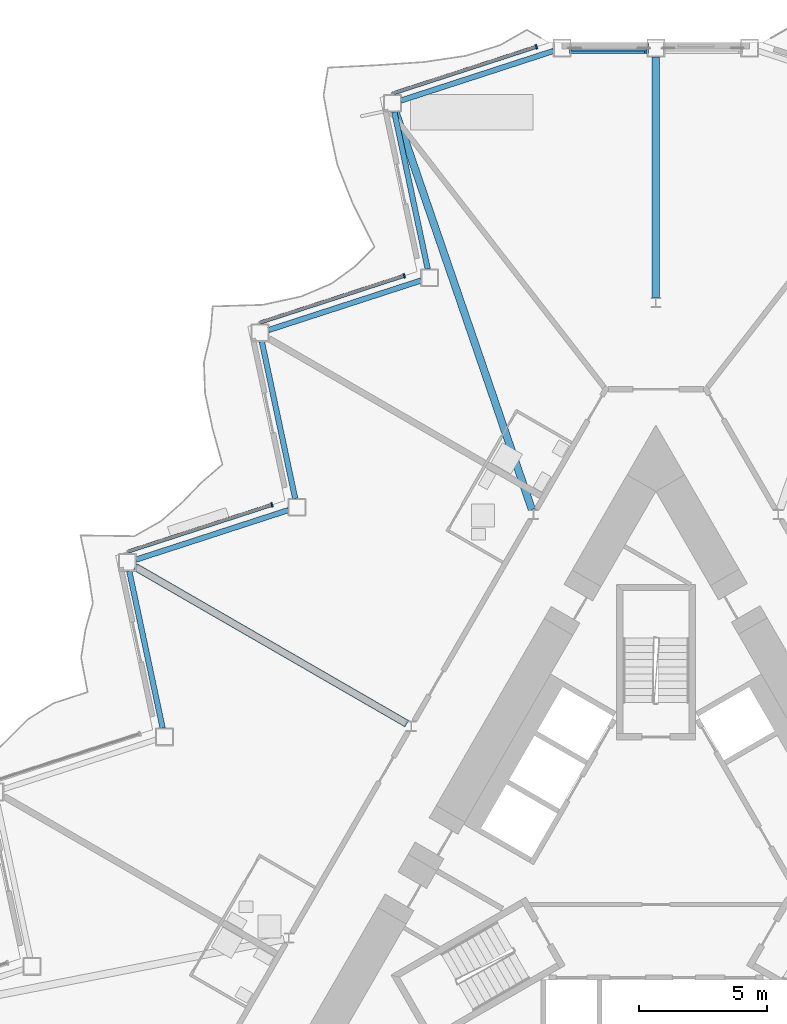
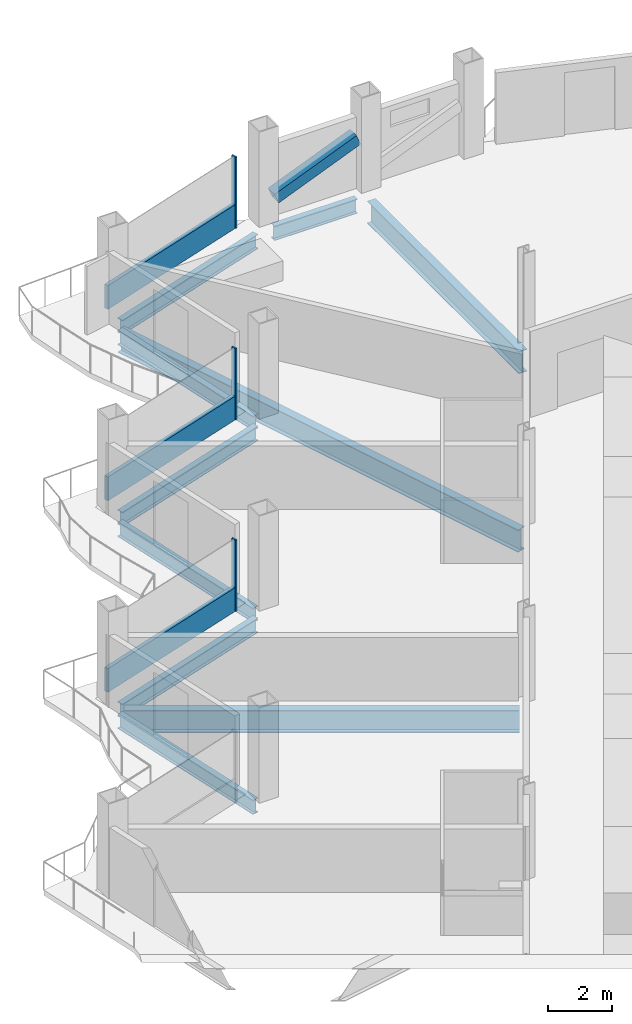
# One storey, part 8 of 23: 10 beams, 7 members, 3 elements without a shape of their own.
"""IFC4 building model written with IfcOpenShell, lengths in metres."""

import ifcopenshell
import ifcopenshell.guid

model = None  # the IFC model being written
_history = None  # IfcOwnerHistory: only IFC2X3 demands one
_inside = {}  # id of a spatial element -> (the spatial element, [elements in it])
_under = {}  # id of a project, library or spatial element -> (it, [spatial elements below it])
_declared = {}  # id of a project -> (the project, [libraries it declares])
_typed = {}  # id of a type object -> (the type object, [elements of that type])
_made_of = {}  # id of a material, layer set ... -> (it, [elements and type objects made of it])


def new_model(schema):
    """Start an empty IFC model of exactly this schema.

    Asked for "IFC4X3", IfcOpenShell would pick the latest addendum, in which some entities
    have other attributes; the version numbers below select the first issue.
    IFC2X3 requires an IfcOwnerHistory on every rooted entity: one is made here for all.
    """
    global model, _history
    if schema == "IFC4X3":
        model = ifcopenshell.file(schema_version=(4, 3, 0, 0))
    else:
        model = ifcopenshell.file(schema=schema)
    _inside.clear()
    _under.clear()
    _declared.clear()
    _typed.clear()
    _made_of.clear()
    _history = None
    if model.schema == "IFC2X3":
        org = make("IfcOrganization", Name="unknown")
        user = make(
            "IfcPersonAndOrganization",
            ThePerson=make("IfcPerson", FamilyName="unknown"),
            TheOrganization=org,
        )
        app = make(
            "IfcApplication",
            ApplicationDeveloper=org,
            Version="unknown",
            ApplicationFullName="unknown",
            ApplicationIdentifier="unknown",
        )
        _history = make(
            "IfcOwnerHistory",
            OwningUser=user,
            OwningApplication=app,
            ChangeAction="ADDED",
            CreationDate=0,
        )
    return model


def make(cls, **values):
    """One entity of the class cls with the attributes given. An attribute that is None is left unset."""
    return model.create_entity(
        cls, **{name: value for name, value in values.items() if value is not None}
    )


def rooted(cls, **values):
    """An entity with a GlobalId (a new one), such as an element, a storey or a relation."""
    return make(cls, GlobalId=ifcopenshell.guid.new(), OwnerHistory=_history, **values)


def si_unit(unit_type, name, prefix=None):
    """IfcSIUnit, for example si_unit("LENGTHUNIT", "METRE", prefix="MILLI")."""
    return make("IfcSIUnit", UnitType=unit_type, Prefix=prefix, Name=name)


def assignment(units):
    """IfcUnitAssignment: the units of a project."""
    return None if units is None else make("IfcUnitAssignment", Units=units)


def point(xyz):
    """IfcCartesianPoint."""
    return None if xyz is None else make("IfcCartesianPoint", Coordinates=xyz)


def direction(xyz):
    """IfcDirection."""
    return None if xyz is None else make("IfcDirection", DirectionRatios=xyz)


def frame(location, z_axis=None, x_axis=None):
    """IfcAxis2Placement3D, a coordinate frame: its origin and axes. An axis left out is left unset."""
    return make(
        "IfcAxis2Placement3D",
        Location=point(location),
        Axis=direction(z_axis),
        RefDirection=direction(x_axis),
    )


def frame_2d(location, x_axis=None):
    """IfcAxis2Placement2D, a coordinate frame in the plane: its origin and x axis."""
    return make(
        "IfcAxis2Placement2D", Location=point(location), RefDirection=direction(x_axis)
    )


def origin():
    """The frame at (0, 0, 0) with its axes left unset."""
    return frame((0.0, 0.0, 0.0))


def origin_2d():
    """The frame at (0, 0) in the plane with its x axis left unset."""
    return frame_2d((0.0, 0.0))


def place(relative_to, where):
    """IfcLocalPlacement: puts the frame where relative to a parent placement (None: the world)."""
    return make(
        "IfcLocalPlacement", PlacementRelTo=relative_to, RelativePlacement=where
    )


def context(
    kind, dimensions, precision=None, world=None, true_north=None, identifier=None
):
    """IfcGeometricRepresentationContext, for example the 3D "Model" context."""
    return make(
        "IfcGeometricRepresentationContext",
        ContextIdentifier=identifier,
        ContextType=kind,
        CoordinateSpaceDimension=dimensions,
        Precision=precision,
        WorldCoordinateSystem=world,
        TrueNorth=true_north,
    )


def subcontext(parent, identifier, kind, view, scale=None):
    """IfcGeometricRepresentationSubContext, for example "Body" below "Model"."""
    return make(
        "IfcGeometricRepresentationSubContext",
        ContextIdentifier=identifier,
        ContextType=kind,
        ParentContext=parent,
        TargetScale=scale,
        TargetView=view,
    )


def project(units=None, contexts=None):
    """IfcProject with its units and contexts."""
    return rooted(
        "IfcProject",
        Name="project",
        RepresentationContexts=contexts,
        UnitsInContext=assignment(units),
    )


def spatial(cls, under=None, at=None, **own):
    """A site, building, storey or space (cls), placed at a placement, below another one or the project."""
    s = rooted(cls, ObjectPlacement=at, **own)
    if under is not None:
        _under.setdefault(under.id(), (under, []))[1].append(s)
    return s


def profile(cls, at=None, kind="AREA", **sizes):
    """A parametric profile (cls). Its sizes go by their IFC names, for example OverallWidth=200.0."""
    return make(cls, ProfileType=kind, Position=at, **sizes)


def rectangle(**sizes):
    """IfcRectangleProfileDef."""
    return profile("IfcRectangleProfileDef", **sizes)


def hollow_rectangle(**sizes):
    """IfcRectangleHollowProfileDef."""
    return profile("IfcRectangleHollowProfileDef", **sizes)


def i_section(**sizes):
    """IfcIShapeProfileDef."""
    return profile("IfcIShapeProfileDef", **sizes)


def extrude(swept, where, along, depth):
    """IfcExtrudedAreaSolid: the profile swept, set in the frame where, extruded along a direction by depth."""
    return make(
        "IfcExtrudedAreaSolid",
        SweptArea=swept,
        Position=where,
        ExtrudedDirection=direction(along),
        Depth=depth,
    )


def shape(context_of_items, identifier, shape_type, items):
    """IfcShapeRepresentation: the items that make up one representation, for example the "Body"."""
    return make(
        "IfcShapeRepresentation",
        ContextOfItems=context_of_items,
        RepresentationIdentifier=identifier,
        RepresentationType=shape_type,
        Items=items,
    )


def material(Name=None, Category=None):
    """IfcMaterial."""
    return make("IfcMaterial", Name=Name, Category=Category)


def layer(
    of_material, thickness, ventilated=None, Name=None, Category=None, Priority=None
):
    """IfcMaterialLayer: one layer of a wall or slab, of a material (None: an air gap)."""
    return make(
        "IfcMaterialLayer",
        Material=of_material,
        LayerThickness=thickness,
        IsVentilated=ventilated,
        Name=Name,
        Category=Category,
        Priority=Priority,
    )


def layer_set(layers, Name=None):
    """IfcMaterialLayerSet."""
    return make("IfcMaterialLayerSet", MaterialLayers=layers, LayerSetName=Name)


def material_profile(
    of_material, cross_section, Name=None, Category=None, Priority=None
):
    """IfcMaterialProfile: a cross section and its material."""
    return make(
        "IfcMaterialProfile",
        Name=Name,
        Material=of_material,
        Profile=cross_section,
        Priority=Priority,
        Category=Category,
    )


def profile_set(profiles, Name=None, composite=None):
    """IfcMaterialProfileSet."""
    return make(
        "IfcMaterialProfileSet",
        Name=Name,
        MaterialProfiles=profiles,
        CompositeProfile=composite,
    )


def made_of(thing, what):
    """Note that an element or type object is made of a material, layer set ...; save() writes the relation."""
    if what is not None:
        _made_of.setdefault(what.id(), (what, []))[1].append(thing)
    return thing


def type_object(cls, material=None, **own):
    """A type object (cls), such as IfcWallType, which elements share."""
    return made_of(rooted(cls, **own), material)


def element(
    cls,
    number,
    at=None,
    inside=None,
    cuts=None,
    type_object=None,
    material=None,
    context=None,
    identifier="Body",
    shape_type=None,
    held_by="IfcProductDefinitionShape",
    body=None,
    shapes=None,
    **own,
):
    """One element of the class cls, such as IfcWall. Its Tag is "e" and its number.

    at: its placement. inside: the storey or other place that contains it. cuts: it is an
    opening in that element (IfcRelVoidsElement). A single representation is given by context,
    identifier, shape_type and body (its items); several are given by shapes. held_by: the class
    of the entity that holds the representations. save() writes the other relations.
    """
    e = rooted(cls, Tag="e%d" % number, ObjectPlacement=at, **own)
    if body is not None:
        shapes = [shape(context, identifier, shape_type, body)]
    if shapes is not None:
        e.Representation = make(held_by, Representations=shapes)
    if inside is not None:
        _inside.setdefault(inside.id(), (inside, []))[1].append(e)
    if cuts is not None:
        rooted(
            "IfcRelVoidsElement", RelatingBuildingElement=cuts, RelatedOpeningElement=e
        )
    if type_object is not None:
        _typed.setdefault(type_object.id(), (type_object, []))[1].append(e)
    return made_of(e, material)


def aggregate(whole, parts):
    """IfcRelAggregates: a whole, such as a stair, and the parts it consists of."""
    return rooted("IfcRelAggregates", RelatingObject=whole, RelatedObjects=parts)


def save(model, path):
    """Write the relations noted so far, then the file.

    IfcRelAggregates (storeys below a building ...), IfcRelContainedInSpatialStructure (elements
    in a storey), IfcRelDefinesByType, IfcRelAssociatesMaterial and IfcRelDeclares: one each for
    every whole, place, type object, material and project.
    """
    for whole, parts in _under.values():
        aggregate(whole, parts)
    for where, things in _inside.values():
        rooted(
            "IfcRelContainedInSpatialStructure",
            RelatedElements=things,
            RelatingStructure=where,
        )
    for kind, things in _typed.values():
        rooted("IfcRelDefinesByType", RelatedObjects=things, RelatingType=kind)
    for what, things in _made_of.values():
        rooted("IfcRelAssociatesMaterial", RelatedObjects=things, RelatingMaterial=what)
    for by, libraries in _declared.values():
        rooted("IfcRelDeclares", RelatingContext=by, RelatedDefinitions=libraries)
    model.write(path)


model = new_model("IFC4")

# Units and contexts
model_context = context("Model", 3, precision=1e-05, world=origin(), true_north=direction((0.0, 1.0)))
body_context = subcontext(model_context, "Body", "Model", "MODEL_VIEW")
ifc_project = project(units=[si_unit("LENGTHUNIT", "METRE"), si_unit("AREAUNIT", "SQUARE_METRE"), si_unit("VOLUMEUNIT", "CUBIC_METRE"), si_unit("PLANEANGLEUNIT", "RADIAN"), si_unit("MASSUNIT", "GRAM", prefix="KILO")], contexts=[model_context])

# Site, building, storey
site_placement = place(None, origin())
site = spatial("IfcSite", under=ifc_project, at=site_placement, CompositionType="ELEMENT")
building_placement = place(site_placement, origin())
building = spatial("IfcBuilding", under=site, at=building_placement, Name="Cormorant Prow Tower", CompositionType="ELEMENT")
storey_placement = place(building_placement, frame((0.0, 0.0, 241.800048828125)))
storey = spatial("IfcBuildingStorey", under=building, at=storey_placement, Name="L53", CompositionType="ELEMENT", Elevation=241.800048828125)

# Member
ifc_material_1 = material(Name="Structural steel ASTM A500 Gr C", Category="steel")
ifc_material_profile_1 = material_profile(ifc_material_1, hollow_rectangle(XDim=0.406494140625, YDim=0.406494140625, WallThickness=0.01171875, at=origin_2d()), Name="HSS16x16x1/2")
ifc_profile_set_1 = profile_set([ifc_material_profile_1], Name="Structural steel ASTM A500 Gr C")
member_type_1 = type_object("IfcMemberType", Name="Chamfer brace HSS16x16x1/2", PredefinedType="BRACE", material=ifc_profile_set_1)
member_1_placement = place(storey_placement, frame((-3.3046875, 32.073486328125, 0.74951171875), z_axis=(0.925591042089, 0.0, 0.37852506232), x_axis=(0.0, 1.0, 0.0)))
element("IfcMember", 1, at=member_1_placement, inside=storey, type_object=member_type_1, Name="Chamfer brace BR2 at N01 L53", PredefinedType="BRACE", context=body_context, shape_type="SweptSolid", body=[
    extrude(hollow_rectangle(XDim=0.406494140625, YDim=0.406494140625, WallThickness=0.01171875, at=origin_2d()), origin(), (0.0, 0.0, 1.0), 3.17529296875),
])

# Curtain wall, member
ifc_material_2 = material(Name="Aluminium 6063-T6", Category="aluminium")
ifc_layer = layer(ifc_material_2, 0.179931640625)
ifc_layer_set = layer_set([ifc_layer], Name="Aluminium 6063-T6")
curtain_wall_type = type_object("IfcCurtainWallType", Name="Hotel unitised curtain wall 180", PredefinedType="NOTDEFINED", material=ifc_layer_set)
curtain_wall_1_placement = place(storey_placement, origin())
curtain_wall_1 = element("IfcCurtainWall", 2, at=curtain_wall_1_placement, inside=storey, type_object=curtain_wall_type, Name="Hotel curtain wall WNW00", PredefinedType="NOTDEFINED")
ifc_material_3 = material(Name="Aluminium 6063-T6", Category="aluminium")
ifc_material_profile_2 = material_profile(ifc_material_3, rectangle(XDim=0.179931640625, YDim=0.06005859375, at=origin_2d()), Name="Hotel mullion 60x180")
ifc_profile_set_2 = profile_set([ifc_material_profile_2], Name="Aluminium 6063-T6")
member_type_2 = type_object("IfcMemberType", Name="Hotel mullion 60x180", PredefinedType="MULLION", material=ifc_profile_set_2)
member_2_placement = place(storey_placement, frame((-4.6767578125, 32.12646484375, 0.0), z_axis=(0.0, 0.0, 1.0), x_axis=(0.309017031391, -0.951056504268, 0.0)))
member_2 = element("IfcMember", 3, at=member_2_placement, type_object=member_type_2, Name="Hotel mullion WNW00", PredefinedType="MULLION", context=body_context, shape_type="SweptSolid", body=[
    extrude(rectangle(XDim=0.179931640625, YDim=0.06005859375, at=origin_2d()), origin(), (0.0, 0.0, 1.0), 2.700927734375),
])

curtain_wall_2_placement = place(storey_placement, origin())
curtain_wall_2 = element("IfcCurtainWall", 4, at=curtain_wall_2_placement, inside=storey, type_object=curtain_wall_type, Name="Hotel curtain wall WNW02", PredefinedType="NOTDEFINED")
member_3_placement = place(storey_placement, frame((-9.8525390625, 23.161865234375, 0.0), z_axis=(0.0, 0.0, 1.0), x_axis=(0.309016989196, -0.951056517978, 0.0)))
member_3 = element("IfcMember", 5, at=member_3_placement, type_object=member_type_2, Name="Hotel mullion WNW02", PredefinedType="MULLION", context=body_context, shape_type="SweptSolid", body=[
    extrude(rectangle(XDim=0.179931640625, YDim=0.06005859375, at=origin_2d()), origin(), (0.0, 0.0, 1.0), 2.700927734375),
])

curtain_wall_3_placement = place(storey_placement, origin())
curtain_wall_3 = element("IfcCurtainWall", 6, at=curtain_wall_3_placement, inside=storey, type_object=curtain_wall_type, Name="Hotel curtain wall WNW04", PredefinedType="NOTDEFINED")
member_4_placement = place(storey_placement, frame((-15.0283203125, 14.197265625, 0.0), z_axis=(0.0, 0.0, 1.0), x_axis=(0.309016989196, -0.951056517978, 0.0)))
member_4 = element("IfcMember", 7, at=member_4_placement, type_object=member_type_2, Name="Hotel mullion WNW04", PredefinedType="MULLION", context=body_context, shape_type="SweptSolid", body=[
    extrude(rectangle(XDim=0.179931640625, YDim=0.06005859375, at=origin_2d()), origin(), (0.0, 0.0, 1.0), 2.700927734375),
])

# Member
ifc_material_4 = material(Name="Terracotta", Category="masonry")
ifc_material_profile_3 = material_profile(ifc_material_4, rectangle(XDim=0.139892578125, YDim=0.89990234375, at=origin_2d()), Name="Hotel terracotta spandrel rail 140x900")
ifc_profile_set_3 = profile_set([ifc_material_profile_3], Name="Terracotta")
member_type_3 = type_object("IfcMemberType", Name="Hotel terracotta spandrel rail 140x900", PredefinedType="USERDEFINED", material=ifc_profile_set_3)
member_5_placement = place(storey_placement, frame((-4.705322265625, 32.1171875, 0.449951171875), z_axis=(-0.9510589899, -0.309009381297, 0.0), x_axis=(0.309009381297, -0.9510589899, 0.0)))
member_5 = element("IfcMember", 8, at=member_5_placement, type_object=member_type_3, Name="Hotel spandrel rail WNW00", ObjectType="TRANSOM", PredefinedType="USERDEFINED", context=body_context, shape_type="SweptSolid", body=[
    extrude(rectangle(XDim=0.139892578125, YDim=0.89990234375, at=origin_2d()), origin(), (0.0, 0.0, 1.0), 5.902587890625),
])

aggregate(curtain_wall_1, [member_2, member_5])

member_6_placement = place(storey_placement, frame((-9.881103515625, 23.152587890625, 0.449951171875), z_axis=(-0.9510589899, -0.309009381297, 0.0), x_axis=(0.309009381297, -0.9510589899, 0.0)))
member_6 = element("IfcMember", 9, at=member_6_placement, type_object=member_type_3, Name="Hotel spandrel rail WNW02", ObjectType="TRANSOM", PredefinedType="USERDEFINED", context=body_context, shape_type="SweptSolid", body=[
    extrude(rectangle(XDim=0.139892578125, YDim=0.89990234375, at=origin_2d()), origin(), (0.0, 0.0, 1.0), 5.902587890625),
])

aggregate(curtain_wall_2, [member_3, member_6])

member_7_placement = place(storey_placement, frame((-15.056884765625, 14.18798828125, 0.449951171875), z_axis=(-0.951055040221, -0.309021537228, 0.0), x_axis=(0.309021537228, -0.951055040221, 0.0)))
member_7 = element("IfcMember", 10, at=member_7_placement, type_object=member_type_3, Name="Hotel spandrel rail WNW04", ObjectType="TRANSOM", PredefinedType="USERDEFINED", context=body_context, shape_type="SweptSolid", body=[
    extrude(rectangle(XDim=0.139892578125, YDim=0.89990234375, at=origin_2d()), origin(), (0.0, 0.0, 1.0), 5.90234375),
])

aggregate(curtain_wall_3, [member_4, member_7])

# Beams
ifc_material_5 = material(Name="Structural steel ASTM A992 Gr 50", Category="steel")
ifc_material_profile_4 = material_profile(ifc_material_5, i_section(OverallWidth=0.29296875, OverallDepth=0.845703125, WebThickness=0.015380859375, FlangeThickness=0.0244140625, at=origin_2d()), Name="W33x141")
ifc_profile_set_4 = profile_set([ifc_material_profile_4], Name="Structural steel ASTM A992 Gr 50")
beam_type_1 = type_object("IfcBeamType", Name="Radial floor beam W33x141", PredefinedType="BEAM", material=ifc_profile_set_4)
beam_1_placement = place(storey_placement, frame((0.0, 22.320068359375, -0.77294921875), z_axis=(0.0, 1.0, 0.0), x_axis=(-1.0, 0.0, 0.0)))
element("IfcBeam", 11, at=beam_1_placement, inside=storey, type_object=beam_type_1, Name="Radial floor beam FB2 1 L53", PredefinedType="BEAM", context=body_context, shape_type="SweptSolid", body=[
    extrude(i_section(OverallWidth=0.29296875, OverallDepth=0.845703125, WebThickness=0.015380859375, FlangeThickness=0.0244140625, at=origin_2d()), origin(), (0.0, 0.0, 1.0), 9.4033203125),
])
beam_2_placement = place(storey_placement, frame((-4.85400390625, 14.013916015625, -0.77294921875), z_axis=(-0.324535507117, 0.945873514071, 0.0), x_axis=(-0.945873514071, -0.324535507117, 0.0)))
element("IfcBeam", 12, at=beam_2_placement, inside=storey, type_object=beam_type_1, Name="Radial floor beam FB2 2 L53", PredefinedType="BEAM", context=body_context, shape_type="SweptSolid", body=[
    extrude(i_section(OverallWidth=0.29296875, OverallDepth=0.845703125, WebThickness=0.015380859375, FlangeThickness=0.0244140625, at=origin_2d()), origin(), (0.0, 0.0, 1.0), 16.462158203125),
])
beam_3_placement = place(storey_placement, frame((-9.751220703125, 5.6298828125, -0.77294921875), z_axis=(-0.866021995826, 0.500005902711, 0.0), x_axis=(-0.500005902711, -0.866021995826, 0.0)))
element("IfcBeam", 13, at=beam_3_placement, inside=storey, type_object=beam_type_1, Name="Radial floor beam FB2 3 L53", PredefinedType="BEAM", context=body_context, shape_type="SweptSolid", body=[
    extrude(i_section(OverallWidth=0.29296875, OverallDepth=0.845703125, WebThickness=0.015380859375, FlangeThickness=0.0244140625, at=origin_2d()), origin(), (0.0, 0.0, 1.0), 12.277099609375),
])
ifc_material_6 = material(Name="Structural steel ASTM A992 Gr 50", Category="steel")
ifc_material_profile_5 = material_profile(ifc_material_6, i_section(OverallWidth=0.2138671875, OverallDepth=0.549072265625, WebThickness=0.0146484375, FlangeThickness=0.023681640625, at=origin_2d()), Name="W21x93")
ifc_profile_set_5 = profile_set([ifc_material_profile_5], Name="Structural steel ASTM A992 Gr 50")
beam_type_2 = type_object("IfcBeamType", Name="Spandrel beam W21x93", PredefinedType="SPANDREL", material=ifc_profile_set_5)
beam_4_placement = place(storey_placement, frame((-0.35009765625, 32.073486328125, -0.62451171875), z_axis=(-1.0, 0.0, 0.0), x_axis=(0.0, -1.0, 0.0)))
element("IfcBeam", 14, at=beam_4_placement, inside=storey, type_object=beam_type_2, Name="Spandrel beam SB2 N01-WNW00 L53", PredefinedType="SPANDREL", context=body_context, shape_type="SweptSolid", body=[
    extrude(i_section(OverallWidth=0.2138671875, OverallDepth=0.549072265625, WebThickness=0.0146484375, FlangeThickness=0.023681640625, at=origin_2d()), origin(), (0.0, 0.0, 1.0), 2.97021484375),
])
for number, where, z_axis, x_axis, name in (
    (15, (-4.003173828125, 31.96533203125, -0.62451171875), (-0.951054060056, -0.309024553801, 0.0), (0.309024553801, -0.951054060056, 0.0), "Spandrel beam SB2 WNW00-WNW01 L53"),
    (16, (-10.2373046875, 29.57373046875, -0.62451171875), (0.207896407679, -0.97815084914, 0.0), (0.97815084914, 0.207896407679, 0.0), "Spandrel beam SB2 WNW01-WNW02 L53"),
):
    element("IfcBeam", number, at=place(storey_placement, frame(where, z_axis=z_axis, x_axis=x_axis)), inside=storey, type_object=beam_type_2, Name=name, PredefinedType="SPANDREL", context=body_context, shape_type="SweptSolid", body=[
        extrude(i_section(OverallWidth=0.2138671875, OverallDepth=0.549072265625, WebThickness=0.0146484375, FlangeThickness=0.023681640625, at=origin_2d()), origin(), (0.0, 0.0, 1.0), 6.281494140625),
    ])
beam_5_placement = place(storey_placement, frame((-9.191650390625, 22.97900390625, -0.62451171875), z_axis=(-0.951050348284, -0.309035976918, 0.0), x_axis=(0.309035976918, -0.951050348284, 0.0)))
element("IfcBeam", 17, at=beam_5_placement, inside=storey, type_object=beam_type_2, Name="Spandrel beam SB2 WNW02-WNW03 L53", PredefinedType="SPANDREL", context=body_context, shape_type="SweptSolid", body=[
    extrude(i_section(OverallWidth=0.2138671875, OverallDepth=0.549072265625, WebThickness=0.0146484375, FlangeThickness=0.023681640625, at=origin_2d()), origin(), (0.0, 0.0, 1.0), 6.28125),
])
beam_6_placement = place(storey_placement, frame((-15.42578125, 20.58740234375, -0.62451171875), z_axis=(0.207933593793, -0.978142944856, 0.0), x_axis=(0.978142944856, 0.207933593793, 0.0)))
element("IfcBeam", 18, at=beam_6_placement, inside=storey, type_object=beam_type_2, Name="Spandrel beam SB2 WNW03-WNW04 L53", PredefinedType="SPANDREL", context=body_context, shape_type="SweptSolid", body=[
    extrude(i_section(OverallWidth=0.2138671875, OverallDepth=0.549072265625, WebThickness=0.0146484375, FlangeThickness=0.023681640625, at=origin_2d()), origin(), (0.0, 0.0, 1.0), 6.281494140625),
])
beam_7_placement = place(storey_placement, frame((-14.3798828125, 13.99267578125, -0.62451171875), z_axis=(-0.951050348284, -0.309035976918, 0.0), x_axis=(0.309035976918, -0.951050348284, 0.0)))
element("IfcBeam", 19, at=beam_7_placement, inside=storey, type_object=beam_type_2, Name="Spandrel beam SB2 WNW04-WNW05 L53", PredefinedType="SPANDREL", context=body_context, shape_type="SweptSolid", body=[
    extrude(i_section(OverallWidth=0.2138671875, OverallDepth=0.549072265625, WebThickness=0.0146484375, FlangeThickness=0.023681640625, at=origin_2d()), origin(), (0.0, 0.0, 1.0), 6.28125),
])
beam_8_placement = place(storey_placement, frame((-20.614013671875, 11.60107421875, -0.62451171875), z_axis=(0.207933593793, -0.978142944856, 0.0), x_axis=(0.978142944856, 0.207933593793, 0.0)))
element("IfcBeam", 20, at=beam_8_placement, inside=storey, type_object=beam_type_2, Name="Spandrel beam SB2 WNW05-WNW06 L53", PredefinedType="SPANDREL", context=body_context, shape_type="SweptSolid", body=[
    extrude(i_section(OverallWidth=0.2138671875, OverallDepth=0.549072265625, WebThickness=0.0146484375, FlangeThickness=0.023681640625, at=origin_2d()), origin(), (0.0, 0.0, 1.0), 6.281494140625),
])

save(model, "model.ifc")
